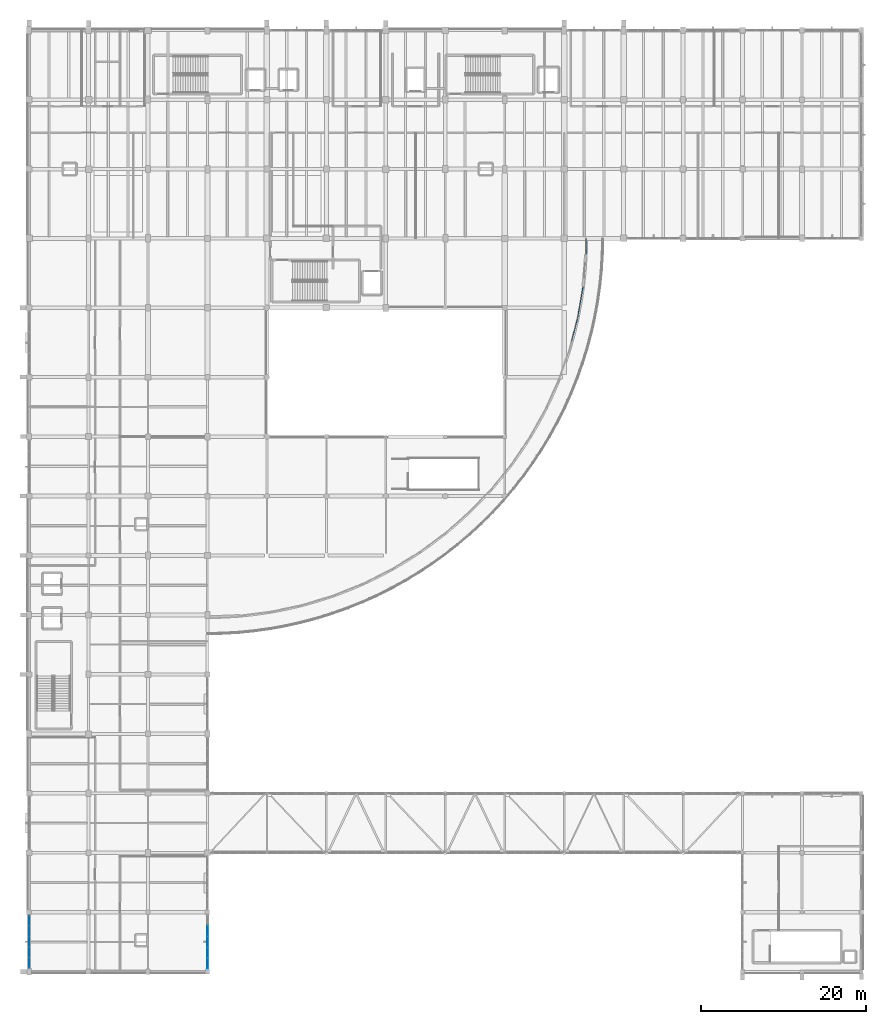
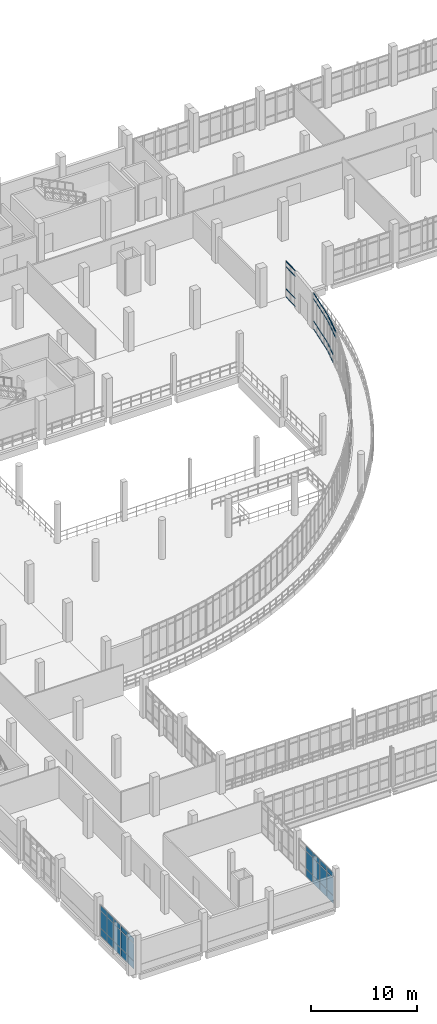
# One storey, part 83 of 116: 34 members, 27 plates, 5 elements without a shape of their own.
"""IFC4 building model written with IfcOpenShell, lengths in metres."""

from ifc_helpers import new_model, si_unit, direction, frame, origin, origin_2d, place, context, subcontext, project, spatial, rectangle, hollow_rectangle, extrude, material, layer, layer_set, material_profile, profile_set, type_object, element, aggregate, save


model = new_model("IFC4")

# Units and contexts
model_context = context("Model", 3, precision=1e-05, world=origin(), true_north=direction((0.0, 1.0)))
body_context = subcontext(model_context, "Body", "Model", "MODEL_VIEW")
ifc_project = project(units=[si_unit("LENGTHUNIT", "METRE"), si_unit("AREAUNIT", "SQUARE_METRE"), si_unit("VOLUMEUNIT", "CUBIC_METRE"), si_unit("PLANEANGLEUNIT", "RADIAN"), si_unit("MASSUNIT", "GRAM", prefix="KILO")], contexts=[model_context])

# Site, building, storey
site_placement = place(None, origin())
site = spatial("IfcSite", under=ifc_project, at=site_placement, CompositionType="ELEMENT")
building_placement = place(site_placement, origin())
building = spatial("IfcBuilding", under=site, at=building_placement, Name="Kalluvel Institute of Natural Sciences", CompositionType="ELEMENT")
storey_placement = place(building_placement, frame((0.0, 0.0, 14.39990234375)))
storey = spatial("IfcBuildingStorey", under=building, at=storey_placement, Name="L03", CompositionType="ELEMENT", Elevation=14.39990234375)

# Curtain wall, members
ifc_material_1 = material(Name="Aluminium AW-6063 T6", Category="aluminium")
curtain_wall_type_1 = type_object("IfcCurtainWallType", Name="CW-ATR-ARC", PredefinedType="USERDEFINED", material=ifc_material_1)
curtain_wall_1_placement = place(storey_placement, origin())
curtain_wall_1 = element("IfcCurtainWall", 1, at=curtain_wall_1_placement, inside=storey, type_object=curtain_wall_type_1, Name="L03 Gothic lancet curtain wall CWA-L03-X794-Y894", ObjectType="UNITISED LANCET FACADE", PredefinedType="USERDEFINED")
ifc_material_profile = material_profile(ifc_material_1, hollow_rectangle(XDim=0.06005859375, YDim=0.1201171875, WallThickness=0.00390625, at=origin_2d()), Name="CWT 60x120")
ifc_profile_set = profile_set([ifc_material_profile], Name="Aluminium AW-6063 T6")
member_type = type_object("IfcMemberType", Name="CWT-60x120", PredefinedType="USERDEFINED", material=ifc_profile_set)
member_1_placement = place(storey_placement, frame((79.69287109375, 90.3447265625, 3.5), z_axis=(0.252149763526, 0.967688222907, 0.0), x_axis=(-0.967688222907, 0.252149763526, 0.0)))
member_1 = element("IfcMember", 2, at=member_1_placement, type_object=member_type, Name="CW-05 transom 2.3", ObjectType="TRANSOM", PredefinedType="USERDEFINED", context=body_context, shape_type="SweptSolid", body=[
    extrude(hollow_rectangle(XDim=0.06005859375, YDim=0.1201171875, WallThickness=0.00390625, at=origin_2d()), origin(), (0.0, 0.0, 1.0), 0.9130859375),
])
member_2_placement = place(storey_placement, frame((79.69287109375, 90.3447265625, 4.1201171875), z_axis=(0.252149763526, 0.967688222907, 0.0), x_axis=(-0.967688222907, 0.252149763526, 0.0)))
member_2 = element("IfcMember", 3, at=member_2_placement, type_object=member_type, Name="CW-05 transom 2.4", ObjectType="TRANSOM", PredefinedType="USERDEFINED", context=body_context, shape_type="SweptSolid", body=[
    extrude(hollow_rectangle(XDim=0.06005859375, YDim=0.1201171875, WallThickness=0.00390625, at=origin_2d()), origin(), (0.0, 0.0, 1.0), 0.9130859375),
])
member_3_placement = place(storey_placement, frame((79.93798828125, 91.286376953125, 0.030029296875), z_axis=(0.252215023886, 0.967671215716, 0.0), x_axis=(-0.967671215716, 0.252215023886, 0.0)))
member_3 = element("IfcMember", 4, at=member_3_placement, type_object=member_type, Name="CW-05 transom 3.1", ObjectType="TRANSOM", PredefinedType="USERDEFINED", context=body_context, shape_type="SweptSolid", body=[
    extrude(hollow_rectangle(XDim=0.06005859375, YDim=0.1201171875, WallThickness=0.00390625, at=origin_2d()), origin(), (0.0, 0.0, 1.0), 0.912841796875),
])
member_4_placement = place(storey_placement, frame((79.93798828125, 91.286376953125, 0.9501953125), z_axis=(0.252215023886, 0.967671215716, 0.0), x_axis=(-0.967671215716, 0.252215023886, 0.0)))
member_4 = element("IfcMember", 5, at=member_4_placement, type_object=member_type, Name="CW-05 transom 3.2", ObjectType="TRANSOM", PredefinedType="USERDEFINED", context=body_context, shape_type="SweptSolid", body=[
    extrude(hollow_rectangle(XDim=0.06005859375, YDim=0.1201171875, WallThickness=0.00390625, at=origin_2d()), origin(), (0.0, 0.0, 1.0), 0.912841796875),
])
member_5_placement = place(storey_placement, frame((79.93798828125, 91.286376953125, 3.5), z_axis=(0.252215023886, 0.967671215716, 0.0), x_axis=(-0.967671215716, 0.252215023886, 0.0)))
member_5 = element("IfcMember", 6, at=member_5_placement, type_object=member_type, Name="CW-05 transom 3.3", ObjectType="TRANSOM", PredefinedType="USERDEFINED", context=body_context, shape_type="SweptSolid", body=[
    extrude(hollow_rectangle(XDim=0.06005859375, YDim=0.1201171875, WallThickness=0.00390625, at=origin_2d()), origin(), (0.0, 0.0, 1.0), 0.912841796875),
])
member_6_placement = place(storey_placement, frame((79.93798828125, 91.286376953125, 4.1201171875), z_axis=(0.252215023886, 0.967671215716, 0.0), x_axis=(-0.967671215716, 0.252215023886, 0.0)))
member_6 = element("IfcMember", 7, at=member_6_placement, type_object=member_type, Name="CW-05 transom 3.4", ObjectType="TRANSOM", PredefinedType="USERDEFINED", context=body_context, shape_type="SweptSolid", body=[
    extrude(hollow_rectangle(XDim=0.06005859375, YDim=0.1201171875, WallThickness=0.00390625, at=origin_2d()), origin(), (0.0, 0.0, 1.0), 0.912841796875),
])
member_7_placement = place(storey_placement, frame((80.183349609375, 92.227783203125, 0.030029296875), z_axis=(0.251892836261, 0.967755133823, 0.0), x_axis=(-0.967755133823, 0.251892836261, 0.0)))
member_7 = element("IfcMember", 8, at=member_7_placement, type_object=member_type, Name="CW-05 transom 4.1", ObjectType="TRANSOM", PredefinedType="USERDEFINED", context=body_context, shape_type="SweptSolid", body=[
    extrude(hollow_rectangle(XDim=0.06005859375, YDim=0.1201171875, WallThickness=0.00390625, at=origin_2d()), origin(), (0.0, 0.0, 1.0), 0.883056640625),
])
member_8_placement = place(storey_placement, frame((80.183349609375, 92.227783203125, 0.9501953125), z_axis=(0.251892836261, 0.967755133823, 0.0), x_axis=(-0.967755133823, 0.251892836261, 0.0)))
member_8 = element("IfcMember", 9, at=member_8_placement, type_object=member_type, Name="CW-05 transom 4.2", ObjectType="TRANSOM", PredefinedType="USERDEFINED", context=body_context, shape_type="SweptSolid", body=[
    extrude(hollow_rectangle(XDim=0.06005859375, YDim=0.1201171875, WallThickness=0.00390625, at=origin_2d()), origin(), (0.0, 0.0, 1.0), 0.883056640625),
])
member_9_placement = place(storey_placement, frame((80.183349609375, 92.227783203125, 3.5), z_axis=(0.251892836261, 0.967755133823, 0.0), x_axis=(-0.967755133823, 0.251892836261, 0.0)))
member_9 = element("IfcMember", 10, at=member_9_placement, type_object=member_type, Name="CW-05 transom 4.3", ObjectType="TRANSOM", PredefinedType="USERDEFINED", context=body_context, shape_type="SweptSolid", body=[
    extrude(hollow_rectangle(XDim=0.06005859375, YDim=0.1201171875, WallThickness=0.00390625, at=origin_2d()), origin(), (0.0, 0.0, 1.0), 0.883056640625),
])
member_10_placement = place(storey_placement, frame((80.183349609375, 92.227783203125, 4.1201171875), z_axis=(0.251892836261, 0.967755133823, 0.0), x_axis=(-0.967755133823, 0.251892836261, 0.0)))
member_10 = element("IfcMember", 11, at=member_10_placement, type_object=member_type, Name="CW-05 transom 4.4", ObjectType="TRANSOM", PredefinedType="USERDEFINED", context=body_context, shape_type="SweptSolid", body=[
    extrude(hollow_rectangle(XDim=0.06005859375, YDim=0.1201171875, WallThickness=0.00390625, at=origin_2d()), origin(), (0.0, 0.0, 1.0), 0.883056640625),
])
aggregate(curtain_wall_1, [member_1, member_2, member_3, member_4, member_5, member_6, member_7, member_8, member_9, member_10])

curtain_wall_2_placement = place(storey_placement, origin())
curtain_wall_2 = element("IfcCurtainWall", 12, at=curtain_wall_2_placement, inside=storey, type_object=curtain_wall_type_1, Name="L03 Gothic lancet curtain wall CWA-L03-X804-Y931", ObjectType="UNITISED LANCET FACADE", PredefinedType="USERDEFINED")
member_11_placement = place(storey_placement, frame((80.43115234375, 93.199462890625, 0.030029296875), z_axis=(0.168925446306, 0.985628831554, 0.0), x_axis=(-0.985628831554, 0.168925446306, 0.0)))
member_11 = element("IfcMember", 13, at=member_11_placement, type_object=member_type, Name="CW-05 transom 1.1", ObjectType="TRANSOM", PredefinedType="USERDEFINED", context=body_context, shape_type="SweptSolid", body=[
    extrude(hollow_rectangle(XDim=0.06005859375, YDim=0.1201171875, WallThickness=0.00390625, at=origin_2d()), origin(), (0.0, 0.0, 1.0), 0.883056640625),
])
member_12_placement = place(storey_placement, frame((80.43115234375, 93.199462890625, 0.9501953125), z_axis=(0.168925446306, 0.985628831554, 0.0), x_axis=(-0.985628831554, 0.168925446306, 0.0)))
member_12 = element("IfcMember", 14, at=member_12_placement, type_object=member_type, Name="CW-05 transom 1.2", ObjectType="TRANSOM", PredefinedType="USERDEFINED", context=body_context, shape_type="SweptSolid", body=[
    extrude(hollow_rectangle(XDim=0.06005859375, YDim=0.1201171875, WallThickness=0.00390625, at=origin_2d()), origin(), (0.0, 0.0, 1.0), 0.883056640625),
])
member_13_placement = place(storey_placement, frame((80.43115234375, 93.199462890625, 3.5), z_axis=(0.168925446306, 0.985628831554, 0.0), x_axis=(-0.985628831554, 0.168925446306, 0.0)))
member_13 = element("IfcMember", 15, at=member_13_placement, type_object=member_type, Name="CW-05 transom 1.3", ObjectType="TRANSOM", PredefinedType="USERDEFINED", context=body_context, shape_type="SweptSolid", body=[
    extrude(hollow_rectangle(XDim=0.06005859375, YDim=0.1201171875, WallThickness=0.00390625, at=origin_2d()), origin(), (0.0, 0.0, 1.0), 0.883056640625),
])
member_14_placement = place(storey_placement, frame((80.43115234375, 93.199462890625, 4.1201171875), z_axis=(0.168925446306, 0.985628831554, 0.0), x_axis=(-0.985628831554, 0.168925446306, 0.0)))
member_14 = element("IfcMember", 16, at=member_14_placement, type_object=member_type, Name="CW-05 transom 1.4", ObjectType="TRANSOM", PredefinedType="USERDEFINED", context=body_context, shape_type="SweptSolid", body=[
    extrude(hollow_rectangle(XDim=0.06005859375, YDim=0.1201171875, WallThickness=0.00390625, at=origin_2d()), origin(), (0.0, 0.0, 1.0), 0.883056640625),
])
member_15_placement = place(storey_placement, frame((80.59033203125, 94.12890625, 0.030029296875), z_axis=(0.168993502004, 0.985617165171, 0.0), x_axis=(-0.985617165171, 0.168993502004, 0.0)))
member_15 = element("IfcMember", 17, at=member_15_placement, type_object=member_type, Name="CW-05 transom 2.1", ObjectType="TRANSOM", PredefinedType="USERDEFINED", context=body_context, shape_type="SweptSolid", body=[
    extrude(hollow_rectangle(XDim=0.06005859375, YDim=0.1201171875, WallThickness=0.00390625, at=origin_2d()), origin(), (0.0, 0.0, 1.0), 0.9130859375),
])
member_16_placement = place(storey_placement, frame((80.59033203125, 94.12890625, 0.9501953125), z_axis=(0.168993502004, 0.985617165171, 0.0), x_axis=(-0.985617165171, 0.168993502004, 0.0)))
member_16 = element("IfcMember", 18, at=member_16_placement, type_object=member_type, Name="CW-05 transom 2.2", ObjectType="TRANSOM", PredefinedType="USERDEFINED", context=body_context, shape_type="SweptSolid", body=[
    extrude(hollow_rectangle(XDim=0.06005859375, YDim=0.1201171875, WallThickness=0.00390625, at=origin_2d()), origin(), (0.0, 0.0, 1.0), 0.9130859375),
])
member_17_placement = place(storey_placement, frame((80.59033203125, 94.12890625, 3.5), z_axis=(0.168993502004, 0.985617165171, 0.0), x_axis=(-0.985617165171, 0.168993502004, 0.0)))
member_17 = element("IfcMember", 19, at=member_17_placement, type_object=member_type, Name="CW-05 transom 2.3", ObjectType="TRANSOM", PredefinedType="USERDEFINED", context=body_context, shape_type="SweptSolid", body=[
    extrude(hollow_rectangle(XDim=0.06005859375, YDim=0.1201171875, WallThickness=0.00390625, at=origin_2d()), origin(), (0.0, 0.0, 1.0), 0.9130859375),
])
member_18_placement = place(storey_placement, frame((80.59033203125, 94.12890625, 4.1201171875), z_axis=(0.168993502004, 0.985617165171, 0.0), x_axis=(-0.985617165171, 0.168993502004, 0.0)))
member_18 = element("IfcMember", 20, at=member_18_placement, type_object=member_type, Name="CW-05 transom 2.4", ObjectType="TRANSOM", PredefinedType="USERDEFINED", context=body_context, shape_type="SweptSolid", body=[
    extrude(hollow_rectangle(XDim=0.06005859375, YDim=0.1201171875, WallThickness=0.00390625, at=origin_2d()), origin(), (0.0, 0.0, 1.0), 0.9130859375),
])
member_19_placement = place(storey_placement, frame((80.7548828125, 95.087890625, 0.030029296875), z_axis=(0.168993502004, 0.985617165171, 0.0), x_axis=(-0.985617165171, 0.168993502004, 0.0)))
member_19 = element("IfcMember", 21, at=member_19_placement, type_object=member_type, Name="CW-05 transom 3.1", ObjectType="TRANSOM", PredefinedType="USERDEFINED", context=body_context, shape_type="SweptSolid", body=[
    extrude(hollow_rectangle(XDim=0.06005859375, YDim=0.1201171875, WallThickness=0.00390625, at=origin_2d()), origin(), (0.0, 0.0, 1.0), 0.9130859375),
])
member_20_placement = place(storey_placement, frame((80.7548828125, 95.087890625, 0.9501953125), z_axis=(0.168993502004, 0.985617165171, 0.0), x_axis=(-0.985617165171, 0.168993502004, 0.0)))
member_20 = element("IfcMember", 22, at=member_20_placement, type_object=member_type, Name="CW-05 transom 3.2", ObjectType="TRANSOM", PredefinedType="USERDEFINED", context=body_context, shape_type="SweptSolid", body=[
    extrude(hollow_rectangle(XDim=0.06005859375, YDim=0.1201171875, WallThickness=0.00390625, at=origin_2d()), origin(), (0.0, 0.0, 1.0), 0.9130859375),
])
member_21_placement = place(storey_placement, frame((80.7548828125, 95.087890625, 3.5), z_axis=(0.168993502004, 0.985617165171, 0.0), x_axis=(-0.985617165171, 0.168993502004, 0.0)))
member_21 = element("IfcMember", 23, at=member_21_placement, type_object=member_type, Name="CW-05 transom 3.3", ObjectType="TRANSOM", PredefinedType="USERDEFINED", context=body_context, shape_type="SweptSolid", body=[
    extrude(hollow_rectangle(XDim=0.06005859375, YDim=0.1201171875, WallThickness=0.00390625, at=origin_2d()), origin(), (0.0, 0.0, 1.0), 0.9130859375),
])
member_22_placement = place(storey_placement, frame((80.7548828125, 95.087890625, 4.1201171875), z_axis=(0.168993502004, 0.985617165171, 0.0), x_axis=(-0.985617165171, 0.168993502004, 0.0)))
member_22 = element("IfcMember", 24, at=member_22_placement, type_object=member_type, Name="CW-05 transom 3.4", ObjectType="TRANSOM", PredefinedType="USERDEFINED", context=body_context, shape_type="SweptSolid", body=[
    extrude(hollow_rectangle(XDim=0.06005859375, YDim=0.1201171875, WallThickness=0.00390625, at=origin_2d()), origin(), (0.0, 0.0, 1.0), 0.9130859375),
])
member_23_placement = place(storey_placement, frame((80.919189453125, 96.046875, 0.030029296875), z_axis=(0.168971490933, 0.985620938927, 0.0), x_axis=(-0.985620938927, 0.168971490933, 0.0)))
member_23 = element("IfcMember", 25, at=member_23_placement, type_object=member_type, Name="CW-05 transom 4.1", ObjectType="TRANSOM", PredefinedType="USERDEFINED", context=body_context, shape_type="SweptSolid", body=[
    extrude(hollow_rectangle(XDim=0.06005859375, YDim=0.1201171875, WallThickness=0.00390625, at=origin_2d()), origin(), (0.0, 0.0, 1.0), 0.8828125),
])
member_24_placement = place(storey_placement, frame((80.919189453125, 96.046875, 0.9501953125), z_axis=(0.168971490933, 0.985620938927, 0.0), x_axis=(-0.985620938927, 0.168971490933, 0.0)))
member_24 = element("IfcMember", 26, at=member_24_placement, type_object=member_type, Name="CW-05 transom 4.2", ObjectType="TRANSOM", PredefinedType="USERDEFINED", context=body_context, shape_type="SweptSolid", body=[
    extrude(hollow_rectangle(XDim=0.06005859375, YDim=0.1201171875, WallThickness=0.00390625, at=origin_2d()), origin(), (0.0, 0.0, 1.0), 0.8828125),
])
member_25_placement = place(storey_placement, frame((80.919189453125, 96.046875, 3.5), z_axis=(0.168971490933, 0.985620938927, 0.0), x_axis=(-0.985620938927, 0.168971490933, 0.0)))
member_25 = element("IfcMember", 27, at=member_25_placement, type_object=member_type, Name="CW-05 transom 4.3", ObjectType="TRANSOM", PredefinedType="USERDEFINED", context=body_context, shape_type="SweptSolid", body=[
    extrude(hollow_rectangle(XDim=0.06005859375, YDim=0.1201171875, WallThickness=0.00390625, at=origin_2d()), origin(), (0.0, 0.0, 1.0), 0.8828125),
])
member_26_placement = place(storey_placement, frame((80.919189453125, 96.046875, 4.1201171875), z_axis=(0.168971490933, 0.985620938927, 0.0), x_axis=(-0.985620938927, 0.168971490933, 0.0)))
member_26 = element("IfcMember", 28, at=member_26_placement, type_object=member_type, Name="CW-05 transom 4.4", ObjectType="TRANSOM", PredefinedType="USERDEFINED", context=body_context, shape_type="SweptSolid", body=[
    extrude(hollow_rectangle(XDim=0.06005859375, YDim=0.1201171875, WallThickness=0.00390625, at=origin_2d()), origin(), (0.0, 0.0, 1.0), 0.8828125),
])
aggregate(curtain_wall_2, [member_11, member_12, member_13, member_14, member_15, member_16, member_17, member_18, member_19, member_20, member_21, member_22, member_23, member_24, member_25, member_26])

curtain_wall_3_placement = place(storey_placement, origin())
curtain_wall_3 = element("IfcCurtainWall", 29, at=curtain_wall_3_placement, inside=storey, type_object=curtain_wall_type_1, Name="L03 Gothic lancet curtain wall CWA-L03-X814-Y1009", ObjectType="UNITISED LANCET FACADE", PredefinedType="USERDEFINED")
member_27_placement = place(storey_placement, frame((81.409912109375, 100.9140625, 0.030029296875), z_axis=(0.021283538277, 0.999773479844, 0.0), x_axis=(-0.999773479844, 0.021283538277, 0.0)))
member_27 = element("IfcMember", 30, at=member_27_placement, type_object=member_type, Name="CW-05 transom 1.1", ObjectType="TRANSOM", PredefinedType="USERDEFINED", context=body_context, shape_type="SweptSolid", body=[
    extrude(hollow_rectangle(XDim=0.06005859375, YDim=0.1201171875, WallThickness=0.00390625, at=origin_2d()), origin(), (0.0, 0.0, 1.0), 0.88330078125),
])
member_28_placement = place(storey_placement, frame((81.409912109375, 100.9140625, 0.9501953125), z_axis=(0.021283538277, 0.999773479844, 0.0), x_axis=(-0.999773479844, 0.021283538277, 0.0)))
member_28 = element("IfcMember", 31, at=member_28_placement, type_object=member_type, Name="CW-05 transom 1.2", ObjectType="TRANSOM", PredefinedType="USERDEFINED", context=body_context, shape_type="SweptSolid", body=[
    extrude(hollow_rectangle(XDim=0.06005859375, YDim=0.1201171875, WallThickness=0.00390625, at=origin_2d()), origin(), (0.0, 0.0, 1.0), 0.88330078125),
])
member_29_placement = place(storey_placement, frame((81.409912109375, 100.9140625, 3.5), z_axis=(0.021283538277, 0.999773479844, 0.0), x_axis=(-0.999773479844, 0.021283538277, 0.0)))
member_29 = element("IfcMember", 32, at=member_29_placement, type_object=member_type, Name="CW-05 transom 1.3", ObjectType="TRANSOM", PredefinedType="USERDEFINED", context=body_context, shape_type="SweptSolid", body=[
    extrude(hollow_rectangle(XDim=0.06005859375, YDim=0.1201171875, WallThickness=0.00390625, at=origin_2d()), origin(), (0.0, 0.0, 1.0), 0.88330078125),
])
member_30_placement = place(storey_placement, frame((81.409912109375, 100.9140625, 4.1201171875), z_axis=(0.021283538277, 0.999773479844, 0.0), x_axis=(-0.999773479844, 0.021283538277, 0.0)))
member_30 = element("IfcMember", 33, at=member_30_placement, type_object=member_type, Name="CW-05 transom 1.4", ObjectType="TRANSOM", PredefinedType="USERDEFINED", context=body_context, shape_type="SweptSolid", body=[
    extrude(hollow_rectangle(XDim=0.06005859375, YDim=0.1201171875, WallThickness=0.00390625, at=origin_2d()), origin(), (0.0, 0.0, 1.0), 0.88330078125),
])
member_31_placement = place(storey_placement, frame((81.429931640625, 101.85693359375, 0.030029296875), z_axis=(0.021283538277, 0.999773479844, 0.0), x_axis=(-0.999773479844, 0.021283538277, 0.0)))
member_31 = element("IfcMember", 34, at=member_31_placement, type_object=member_type, Name="CW-05 transom 2.1", ObjectType="TRANSOM", PredefinedType="USERDEFINED", context=body_context, shape_type="SweptSolid", body=[
    extrude(hollow_rectangle(XDim=0.06005859375, YDim=0.1201171875, WallThickness=0.00390625, at=origin_2d()), origin(), (0.0, 0.0, 1.0), 0.88330078125),
])
member_32_placement = place(storey_placement, frame((81.429931640625, 101.85693359375, 0.9501953125), z_axis=(0.021283538277, 0.999773479844, 0.0), x_axis=(-0.999773479844, 0.021283538277, 0.0)))
member_32 = element("IfcMember", 35, at=member_32_placement, type_object=member_type, Name="CW-05 transom 2.2", ObjectType="TRANSOM", PredefinedType="USERDEFINED", context=body_context, shape_type="SweptSolid", body=[
    extrude(hollow_rectangle(XDim=0.06005859375, YDim=0.1201171875, WallThickness=0.00390625, at=origin_2d()), origin(), (0.0, 0.0, 1.0), 0.88330078125),
])
member_33_placement = place(storey_placement, frame((81.429931640625, 101.85693359375, 3.5), z_axis=(0.021283538277, 0.999773479844, 0.0), x_axis=(-0.999773479844, 0.021283538277, 0.0)))
member_33 = element("IfcMember", 36, at=member_33_placement, type_object=member_type, Name="CW-05 transom 2.3", ObjectType="TRANSOM", PredefinedType="USERDEFINED", context=body_context, shape_type="SweptSolid", body=[
    extrude(hollow_rectangle(XDim=0.06005859375, YDim=0.1201171875, WallThickness=0.00390625, at=origin_2d()), origin(), (0.0, 0.0, 1.0), 0.88330078125),
])
member_34_placement = place(storey_placement, frame((81.429931640625, 101.85693359375, 4.1201171875), z_axis=(0.021283538277, 0.999773479844, 0.0), x_axis=(-0.999773479844, 0.021283538277, 0.0)))
member_34 = element("IfcMember", 37, at=member_34_placement, type_object=member_type, Name="CW-05 transom 2.4", ObjectType="TRANSOM", PredefinedType="USERDEFINED", context=body_context, shape_type="SweptSolid", body=[
    extrude(hollow_rectangle(XDim=0.06005859375, YDim=0.1201171875, WallThickness=0.00390625, at=origin_2d()), origin(), (0.0, 0.0, 1.0), 0.88330078125),
])
aggregate(curtain_wall_3, [member_27, member_28, member_29, member_30, member_31, member_32, member_33, member_34])

# Curtain wall, plates
curtain_wall_type_2 = type_object("IfcCurtainWallType", Name="CW-DRY-45", PredefinedType="USERDEFINED", material=ifc_material_1)
curtain_wall_4_placement = place(storey_placement, origin())
curtain_wall_4 = element("IfcCurtainWall", 38, at=curtain_wall_4_placement, inside=storey, type_object=curtain_wall_type_2, Name="L03 Gothic lancet curtain wall CWA-L03-X140-Y144", ObjectType="UNITISED LANCET FACADE", PredefinedType="USERDEFINED")
ifc_material_2 = material(Name="Solar-Control Low-E Laminated Glass", Category="glass")
ifc_layer = layer(ifc_material_2, 0.031982421875)
ifc_layer_set = layer_set([ifc_layer], Name="Solar-Control Low-E Laminated Glass")
plate_type = type_object("IfcPlateType", Name="CWP-DGU-32", PredefinedType="CURTAIN_PANEL", material=ifc_layer_set)
plate_1_placement = place(storey_placement, frame((14.0, 15.083740234375, 0.065185546875), z_axis=(0.0, 0.0, 1.0), x_axis=(0.0, 1.0, 0.0)))
plate_1 = element("IfcPlate", 39, at=plate_1_placement, type_object=plate_type, Name="CW-03 panel 1.1", PredefinedType="CURTAIN_PANEL", context=body_context, shape_type="SweptSolid", body=[
    extrude(rectangle(XDim=1.1875, YDim=0.031982421875, at=origin_2d()), origin(), (0.0, 0.0, 1.0), 0.8525390625),
])
plate_2_placement = place(storey_placement, frame((14.0, 15.083740234375, 0.982666015625), z_axis=(0.0, 0.0, 1.0), x_axis=(0.0, 1.0, 0.0)))
plate_2 = element("IfcPlate", 40, at=plate_2_placement, type_object=plate_type, Name="CW-03 panel 1.2", PredefinedType="CURTAIN_PANEL", context=body_context, shape_type="SweptSolid", body=[
    extrude(rectangle(XDim=1.1875, YDim=0.031982421875, at=origin_2d()), origin(), (0.0, 0.0, 1.0), 1.955078125),
])
plate_3_placement = place(storey_placement, frame((14.0, 15.083740234375, 3.00244140625), z_axis=(0.0, 0.0, 1.0), x_axis=(0.0, 1.0, 0.0)))
plate_3 = element("IfcPlate", 41, at=plate_3_placement, type_object=plate_type, Name="CW-03 panel 1.3", PredefinedType="CURTAIN_PANEL", context=body_context, shape_type="SweptSolid", body=[
    extrude(rectangle(XDim=1.1875, YDim=0.031982421875, at=origin_2d()), origin(), (0.0, 0.0, 1.0), 0.552490234375),
])
plate_4_placement = place(storey_placement, frame((14.0, 16.3525390625, 0.065185546875), z_axis=(0.0, 0.0, 1.0), x_axis=(0.0, 1.0, 0.0)))
plate_4 = element("IfcPlate", 42, at=plate_4_placement, type_object=plate_type, Name="CW-03 panel 2.1", PredefinedType="CURTAIN_PANEL", context=body_context, shape_type="SweptSolid", body=[
    extrude(rectangle(XDim=1.219970703125, YDim=0.031982421875, at=origin_2d()), origin(), (0.0, 0.0, 1.0), 0.8525390625),
])
plate_5_placement = place(storey_placement, frame((14.0, 16.3525390625, 0.982666015625), z_axis=(0.0, 0.0, 1.0), x_axis=(0.0, 1.0, 0.0)))
plate_5 = element("IfcPlate", 43, at=plate_5_placement, type_object=plate_type, Name="CW-03 panel 2.2", PredefinedType="CURTAIN_PANEL", context=body_context, shape_type="SweptSolid", body=[
    extrude(rectangle(XDim=1.219970703125, YDim=0.031982421875, at=origin_2d()), origin(), (0.0, 0.0, 1.0), 1.955078125),
])
plate_6_placement = place(storey_placement, frame((14.0, 16.3525390625, 3.00244140625), z_axis=(0.0, 0.0, 1.0), x_axis=(0.0, 1.0, 0.0)))
plate_6 = element("IfcPlate", 44, at=plate_6_placement, type_object=plate_type, Name="CW-03 panel 2.3", PredefinedType="CURTAIN_PANEL", context=body_context, shape_type="SweptSolid", body=[
    extrude(rectangle(XDim=1.219970703125, YDim=0.031982421875, at=origin_2d()), origin(), (0.0, 0.0, 1.0), 0.552490234375),
])
plate_7_placement = place(storey_placement, frame((14.0, 17.637451171875, 0.065185546875), z_axis=(0.0, 0.0, 1.0), x_axis=(0.0, 1.0, 0.0)))
plate_7 = element("IfcPlate", 45, at=plate_7_placement, type_object=plate_type, Name="CW-03 panel 3.1", PredefinedType="CURTAIN_PANEL", context=body_context, shape_type="SweptSolid", body=[
    extrude(rectangle(XDim=1.219970703125, YDim=0.031982421875, at=origin_2d()), origin(), (0.0, 0.0, 1.0), 0.8525390625),
])
plate_8_placement = place(storey_placement, frame((14.0, 17.637451171875, 0.982666015625), z_axis=(0.0, 0.0, 1.0), x_axis=(0.0, 1.0, 0.0)))
plate_8 = element("IfcPlate", 46, at=plate_8_placement, type_object=plate_type, Name="CW-03 panel 3.2", PredefinedType="CURTAIN_PANEL", context=body_context, shape_type="SweptSolid", body=[
    extrude(rectangle(XDim=1.219970703125, YDim=0.031982421875, at=origin_2d()), origin(), (0.0, 0.0, 1.0), 1.955078125),
])
plate_9_placement = place(storey_placement, frame((14.0, 17.637451171875, 3.00244140625), z_axis=(0.0, 0.0, 1.0), x_axis=(0.0, 1.0, 0.0)))
plate_9 = element("IfcPlate", 47, at=plate_9_placement, type_object=plate_type, Name="CW-03 panel 3.3", PredefinedType="CURTAIN_PANEL", context=body_context, shape_type="SweptSolid", body=[
    extrude(rectangle(XDim=1.219970703125, YDim=0.031982421875, at=origin_2d()), origin(), (0.0, 0.0, 1.0), 0.552490234375),
])
plate_10_placement = place(storey_placement, frame((14.0, 18.922607421875, 0.065185546875), z_axis=(0.0, 0.0, 1.0), x_axis=(0.0, 1.0, 0.0)))
plate_10 = element("IfcPlate", 48, at=plate_10_placement, type_object=plate_type, Name="CW-03 panel 4.1", PredefinedType="CURTAIN_PANEL", context=body_context, shape_type="SweptSolid", body=[
    extrude(rectangle(XDim=1.219970703125, YDim=0.031982421875, at=origin_2d()), origin(), (0.0, 0.0, 1.0), 0.8525390625),
])
plate_11_placement = place(storey_placement, frame((14.0, 18.922607421875, 0.982666015625), z_axis=(0.0, 0.0, 1.0), x_axis=(0.0, 1.0, 0.0)))
plate_11 = element("IfcPlate", 49, at=plate_11_placement, type_object=plate_type, Name="CW-03 panel 4.2", PredefinedType="CURTAIN_PANEL", context=body_context, shape_type="SweptSolid", body=[
    extrude(rectangle(XDim=1.219970703125, YDim=0.031982421875, at=origin_2d()), origin(), (0.0, 0.0, 1.0), 1.955078125),
])
plate_12_placement = place(storey_placement, frame((14.0, 18.922607421875, 3.00244140625), z_axis=(0.0, 0.0, 1.0), x_axis=(0.0, 1.0, 0.0)))
plate_12 = element("IfcPlate", 50, at=plate_12_placement, type_object=plate_type, Name="CW-03 panel 4.3", PredefinedType="CURTAIN_PANEL", context=body_context, shape_type="SweptSolid", body=[
    extrude(rectangle(XDim=1.219970703125, YDim=0.031982421875, at=origin_2d()), origin(), (0.0, 0.0, 1.0), 0.552490234375),
])
plate_13_placement = place(storey_placement, frame((14.0, 20.191162109375, 0.065185546875), z_axis=(0.0, 0.0, 1.0), x_axis=(0.0, 1.0, 0.0)))
plate_13 = element("IfcPlate", 51, at=plate_13_placement, type_object=plate_type, Name="CW-03 panel 5.1", PredefinedType="CURTAIN_PANEL", context=body_context, shape_type="SweptSolid", body=[
    extrude(rectangle(XDim=1.1875, YDim=0.031982421875, at=origin_2d()), origin(), (0.0, 0.0, 1.0), 0.8525390625),
])
plate_14_placement = place(storey_placement, frame((14.0, 20.191162109375, 0.982666015625), z_axis=(0.0, 0.0, 1.0), x_axis=(0.0, 1.0, 0.0)))
plate_14 = element("IfcPlate", 52, at=plate_14_placement, type_object=plate_type, Name="CW-03 panel 5.2", PredefinedType="CURTAIN_PANEL", context=body_context, shape_type="SweptSolid", body=[
    extrude(rectangle(XDim=1.1875, YDim=0.031982421875, at=origin_2d()), origin(), (0.0, 0.0, 1.0), 1.955078125),
])
plate_15_placement = place(storey_placement, frame((14.0, 20.191162109375, 3.00244140625), z_axis=(0.0, 0.0, 1.0), x_axis=(0.0, 1.0, 0.0)))
plate_15 = element("IfcPlate", 53, at=plate_15_placement, type_object=plate_type, Name="CW-03 panel 5.3", PredefinedType="CURTAIN_PANEL", context=body_context, shape_type="SweptSolid", body=[
    extrude(rectangle(XDim=1.1875, YDim=0.031982421875, at=origin_2d()), origin(), (0.0, 0.0, 1.0), 0.552490234375),
])
aggregate(curtain_wall_4, [plate_1, plate_2, plate_3, plate_4, plate_5, plate_6, plate_7, plate_8, plate_9, plate_10, plate_11, plate_12, plate_13, plate_14, plate_15])

curtain_wall_5_placement = place(storey_placement, origin())
curtain_wall_5 = element("IfcCurtainWall", 54, at=curtain_wall_5_placement, inside=storey, type_object=curtain_wall_type_2, Name="L03 Gothic lancet curtain wall CWA-L03-X356-Y144", ObjectType="UNITISED LANCET FACADE", PredefinedType="USERDEFINED")
plate_16_placement = place(storey_placement, frame((35.60009765625, 15.018798828125, 0.065185546875), z_axis=(0.0, 0.0, 1.0), x_axis=(0.0, 1.0, 0.0)))
plate_16 = element("IfcPlate", 55, at=plate_16_placement, type_object=plate_type, Name="CW-03 panel 1.1", PredefinedType="CURTAIN_PANEL", context=body_context, shape_type="SweptSolid", body=[
    extrude(rectangle(XDim=1.20751953125, YDim=0.031982421875, at=origin_2d()), origin(), (0.0, 0.0, 1.0), 0.8525390625),
])
plate_17_placement = place(storey_placement, frame((35.60009765625, 15.018798828125, 0.982666015625), z_axis=(0.0, 0.0, 1.0), x_axis=(0.0, 1.0, 0.0)))
plate_17 = element("IfcPlate", 56, at=plate_17_placement, type_object=plate_type, Name="CW-03 panel 1.2", PredefinedType="CURTAIN_PANEL", context=body_context, shape_type="SweptSolid", body=[
    extrude(rectangle(XDim=1.20751953125, YDim=0.031982421875, at=origin_2d()), origin(), (0.0, 0.0, 1.0), 1.955078125),
])
plate_18_placement = place(storey_placement, frame((35.60009765625, 15.018798828125, 3.00244140625), z_axis=(0.0, 0.0, 1.0), x_axis=(0.0, 1.0, 0.0)))
plate_18 = element("IfcPlate", 57, at=plate_18_placement, type_object=plate_type, Name="CW-03 panel 1.3", PredefinedType="CURTAIN_PANEL", context=body_context, shape_type="SweptSolid", body=[
    extrude(rectangle(XDim=1.20751953125, YDim=0.031982421875, at=origin_2d()), origin(), (0.0, 0.0, 1.0), 0.552490234375),
])
plate_19_placement = place(storey_placement, frame((35.60009765625, 16.3076171875, 0.065185546875), z_axis=(0.0, 0.0, 1.0), x_axis=(0.0, 1.0, 0.0)))
plate_19 = element("IfcPlate", 58, at=plate_19_placement, type_object=plate_type, Name="CW-03 panel 2.1", PredefinedType="CURTAIN_PANEL", context=body_context, shape_type="SweptSolid", body=[
    extrude(rectangle(XDim=1.239990234375, YDim=0.031982421875, at=origin_2d()), origin(), (0.0, 0.0, 1.0), 0.8525390625),
])
plate_20_placement = place(storey_placement, frame((35.60009765625, 16.3076171875, 0.982666015625), z_axis=(0.0, 0.0, 1.0), x_axis=(0.0, 1.0, 0.0)))
plate_20 = element("IfcPlate", 59, at=plate_20_placement, type_object=plate_type, Name="CW-03 panel 2.2", PredefinedType="CURTAIN_PANEL", context=body_context, shape_type="SweptSolid", body=[
    extrude(rectangle(XDim=1.239990234375, YDim=0.031982421875, at=origin_2d()), origin(), (0.0, 0.0, 1.0), 1.955078125),
])
plate_21_placement = place(storey_placement, frame((35.60009765625, 16.3076171875, 3.00244140625), z_axis=(0.0, 0.0, 1.0), x_axis=(0.0, 1.0, 0.0)))
plate_21 = element("IfcPlate", 60, at=plate_21_placement, type_object=plate_type, Name="CW-03 panel 2.3", PredefinedType="CURTAIN_PANEL", context=body_context, shape_type="SweptSolid", body=[
    extrude(rectangle(XDim=1.239990234375, YDim=0.031982421875, at=origin_2d()), origin(), (0.0, 0.0, 1.0), 0.552490234375),
])
plate_22_placement = place(storey_placement, frame((35.60009765625, 17.612548828125, 0.065185546875), z_axis=(0.0, 0.0, 1.0), x_axis=(0.0, 1.0, 0.0)))
plate_22 = element("IfcPlate", 61, at=plate_22_placement, type_object=plate_type, Name="CW-03 panel 3.1", PredefinedType="CURTAIN_PANEL", context=body_context, shape_type="SweptSolid", body=[
    extrude(rectangle(XDim=1.239990234375, YDim=0.031982421875, at=origin_2d()), origin(), (0.0, 0.0, 1.0), 0.8525390625),
])
plate_23_placement = place(storey_placement, frame((35.60009765625, 17.612548828125, 0.982666015625), z_axis=(0.0, 0.0, 1.0), x_axis=(0.0, 1.0, 0.0)))
plate_23 = element("IfcPlate", 62, at=plate_23_placement, type_object=plate_type, Name="CW-03 panel 3.2", PredefinedType="CURTAIN_PANEL", context=body_context, shape_type="SweptSolid", body=[
    extrude(rectangle(XDim=1.239990234375, YDim=0.031982421875, at=origin_2d()), origin(), (0.0, 0.0, 1.0), 1.955078125),
])
plate_24_placement = place(storey_placement, frame((35.60009765625, 17.612548828125, 3.00244140625), z_axis=(0.0, 0.0, 1.0), x_axis=(0.0, 1.0, 0.0)))
plate_24 = element("IfcPlate", 63, at=plate_24_placement, type_object=plate_type, Name="CW-03 panel 3.3", PredefinedType="CURTAIN_PANEL", context=body_context, shape_type="SweptSolid", body=[
    extrude(rectangle(XDim=1.239990234375, YDim=0.031982421875, at=origin_2d()), origin(), (0.0, 0.0, 1.0), 0.552490234375),
])
plate_25_placement = place(storey_placement, frame((35.60009765625, 18.91748046875, 0.065185546875), z_axis=(0.0, 0.0, 1.0), x_axis=(0.0, 1.0, 0.0)))
plate_25 = element("IfcPlate", 64, at=plate_25_placement, type_object=plate_type, Name="CW-03 panel 4.1", PredefinedType="CURTAIN_PANEL", context=body_context, shape_type="SweptSolid", body=[
    extrude(rectangle(XDim=1.239990234375, YDim=0.031982421875, at=origin_2d()), origin(), (0.0, 0.0, 1.0), 0.8525390625),
])
plate_26_placement = place(storey_placement, frame((35.60009765625, 18.91748046875, 0.982666015625), z_axis=(0.0, 0.0, 1.0), x_axis=(0.0, 1.0, 0.0)))
plate_26 = element("IfcPlate", 65, at=plate_26_placement, type_object=plate_type, Name="CW-03 panel 4.2", PredefinedType="CURTAIN_PANEL", context=body_context, shape_type="SweptSolid", body=[
    extrude(rectangle(XDim=1.239990234375, YDim=0.031982421875, at=origin_2d()), origin(), (0.0, 0.0, 1.0), 1.955078125),
])
plate_27_placement = place(storey_placement, frame((35.60009765625, 18.91748046875, 3.00244140625), z_axis=(0.0, 0.0, 1.0), x_axis=(0.0, 1.0, 0.0)))
plate_27 = element("IfcPlate", 66, at=plate_27_placement, type_object=plate_type, Name="CW-03 panel 4.3", PredefinedType="CURTAIN_PANEL", context=body_context, shape_type="SweptSolid", body=[
    extrude(rectangle(XDim=1.239990234375, YDim=0.031982421875, at=origin_2d()), origin(), (0.0, 0.0, 1.0), 0.552490234375),
])
aggregate(curtain_wall_5, [plate_16, plate_17, plate_18, plate_19, plate_20, plate_21, plate_22, plate_23, plate_24, plate_25, plate_26, plate_27])

save(model, "model.ifc")
